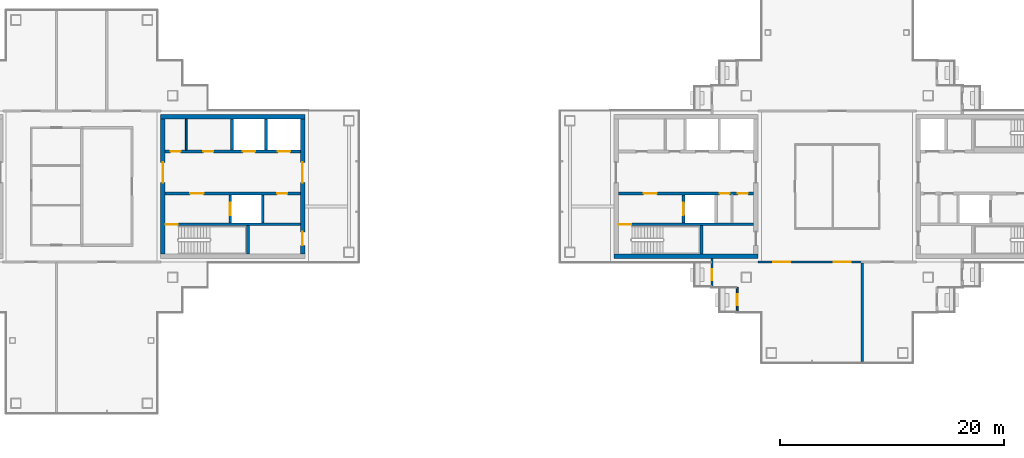
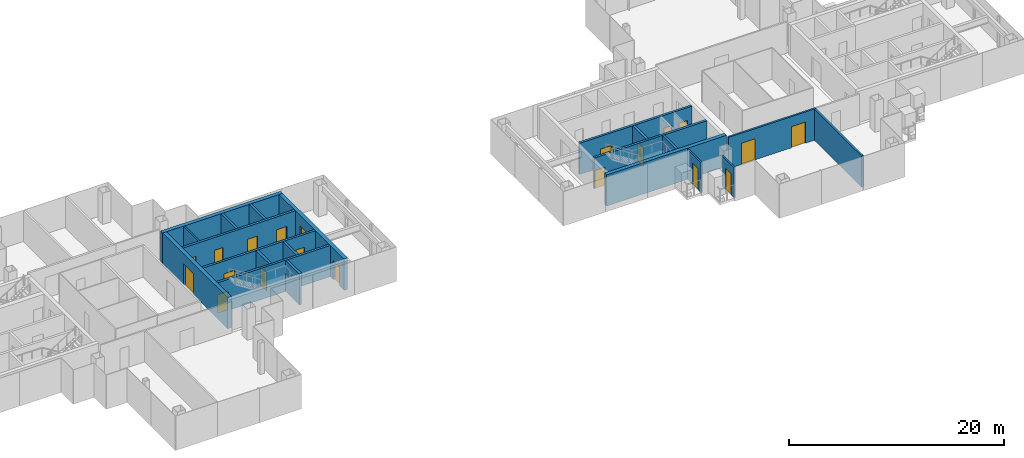
# One storey, part 10 of 16: 21 walls, 20 doors, 20 openings.
"""IFC4 building model written with IfcOpenShell, lengths in metres."""

from ifc_helpers import new_model, si_unit, direction, frame, frame_2d, origin, place, context, subcontext, project, spatial, rectangle, extrude, material, layer, layer_set, type_object, element, fill, save


model = new_model("IFC4")

# Units and contexts
model_context = context("Model", 3, precision=1e-05, world=origin(), true_north=direction((0.0, 1.0)))
body_context = subcontext(model_context, "Body", "Model", "MODEL_VIEW")
ifc_project = project(units=[si_unit("LENGTHUNIT", "METRE"), si_unit("AREAUNIT", "SQUARE_METRE"), si_unit("VOLUMEUNIT", "CUBIC_METRE"), si_unit("PLANEANGLEUNIT", "RADIAN"), si_unit("MASSUNIT", "GRAM", prefix="KILO")], contexts=[model_context])

# Site, building, storey
site_placement = place(None, origin())
site = spatial("IfcSite", under=ifc_project, at=site_placement, CompositionType="ELEMENT")
building_placement = place(site_placement, origin())
building = spatial("IfcBuilding", under=site, at=building_placement, Name="Shamsa Quay Exchange Towers", CompositionType="ELEMENT")
storey_placement = place(building_placement, frame((0.0, 0.0, 246.0)))
storey = spatial("IfcBuildingStorey", under=building, at=storey_placement, Name="L59", CompositionType="ELEMENT", Elevation=246.0)

# Wall, openings, doors
ifc_material_1 = material(Name="Double-leaf gypsum board partition with acoustic insulation")
ifc_layer_1 = layer(ifc_material_1, 0.199951171875)
ifc_layer_set_1 = layer_set([ifc_layer_1], Name="Acoustic partition 200 mm EI 60")
wall_type_1 = type_object("IfcWallType", Name="Acoustic partition 200 mm EI 60", PredefinedType="PARTITIONING", material=ifc_layer_set_1)
wall_1_placement = place(storey_placement, frame((26.699951171875, -6.75, 0.0)))
wall_1 = element("IfcWall", 1, at=wall_1_placement, inside=storey, type_object=wall_type_1, Name="Partition T2-R26-W07", PredefinedType="PARTITIONING", context=body_context, shape_type="SweptSolid", body=[
    extrude(rectangle(XDim=9.400146484375, YDim=0.199951171875, at=frame_2d((4.7001953125, 0.0))), origin(), (0.0, 0.0, 1.0), 3.550048828125),
])
opening_1_placement = place(wall_1_placement, frame((6.75, 0.0, 0.0)))
opening_1 = element("IfcOpeningElement", 2, at=opening_1_placement, cuts=wall_1, Name="Opening T2-R26-D03", PredefinedType="OPENING", context=body_context, shape_type="SweptSolid", body=[
    extrude(rectangle(XDim=1.5, YDim=2.39990234375, at=frame_2d((0.75, 1.199951171875))), frame((0.0, 0.10986328125, 0.0), z_axis=(0.0, -1.0, 0.0), x_axis=(1.0, 0.0, 0.0)), (0.0, 0.0, 1.0), 0.219970703125),
])
opening_2_placement = place(wall_1_placement, frame((1.35009765625, 0.0, 0.0)))
opening_2 = element("IfcOpeningElement", 3, at=opening_2_placement, cuts=wall_1, Name="Opening T2-R26-D05", PredefinedType="OPENING", context=body_context, shape_type="SweptSolid", body=[
    extrude(rectangle(XDim=1.5, YDim=2.39990234375, at=frame_2d((0.75, 1.199951171875))), frame((0.0, 0.10986328125, 0.0), z_axis=(0.0, -1.0, 0.0), x_axis=(1.0, 0.0, 0.0)), (0.0, 0.0, 1.0), 0.219970703125),
])
ifc_material_2 = material(Name="Timber door leaf in a metal frame", Category="wood")
door_type_1 = type_object("IfcDoorType", Name="Door 1500x2400 FD30S pair", OperationType="NOTDEFINED", PredefinedType="DOOR", material=ifc_material_2)
door_1_placement = place(opening_1_placement, origin())
door_1 = element("IfcDoor", 4, at=door_1_placement, inside=storey, type_object=door_type_1, Name="Door T2-R26-D03", OperationType="DOUBLE_DOOR_SINGLE_SWING", OverallHeight=2.39990234375, OverallWidth=1.5, PredefinedType="DOOR", context=body_context, shape_type="SweptSolid", body=[
    extrude(rectangle(XDim=1.5, YDim=2.39990234375, at=frame_2d((0.75, 1.199951171875))), frame((0.0, 0.02490234375, 0.0), z_axis=(0.0, -1.0, 0.0), x_axis=(1.0, 0.0, 0.0)), (0.0, 0.0, 1.0), 0.050048828125),
])
fill(opening_1, door_1)
door_2_placement = place(opening_2_placement, origin())
door_2 = element("IfcDoor", 5, at=door_2_placement, inside=storey, type_object=door_type_1, Name="Door T2-R26-D05", OperationType="DOUBLE_DOOR_SINGLE_SWING", OverallHeight=2.39990234375, OverallWidth=1.5, PredefinedType="DOOR", context=body_context, shape_type="SweptSolid", body=[
    extrude(rectangle(XDim=1.5, YDim=2.39990234375, at=frame_2d((0.75, 1.199951171875))), frame((0.0, 0.02490234375, 0.0), z_axis=(0.0, -1.0, 0.0), x_axis=(1.0, 0.0, 0.0)), (0.0, 0.0, 1.0), 0.050048828125),
])
fill(opening_2, door_2)

# Wall
wall_2_placement = place(storey_placement, frame((36.0, -6.85009765625, 0.0), z_axis=(0.0, 0.0, 1.0), x_axis=(0.0, -1.0, 0.0)))
element("IfcWall", 6, at=wall_2_placement, inside=storey, type_object=wall_type_1, Name="Partition T2-R26-W09", PredefinedType="PARTITIONING", context=body_context, shape_type="SweptSolid", body=[
    extrude(rectangle(XDim=8.804931640625, YDim=0.199951171875, at=frame_2d((4.40234375, 0.0))), origin(), (0.0, 0.0, 1.0), 3.550048828125),
])

# Wall, opening, door
ifc_material_3 = material(Name="Aluminium EN AW-6063 T6, black anodised, with black enamelled glass infill", Category="aluminium")
ifc_layer_2 = layer(ifc_material_3, 0.14990234375)
ifc_layer_set_2 = layer_set([ifc_layer_2], Name="BALCONY DOOR BAY WALL 150")
wall_type_2 = type_object("IfcWallType", Name="BALCONY DOOR BAY WALL 150", PredefinedType="SOLIDWALL", material=ifc_layer_set_2)
wall_3_placement = place(storey_placement, frame((22.574951171875, -9.0, 0.0), z_axis=(0.0, 0.0, 1.0), x_axis=(0.0, 1.0, 0.0)))
wall_3 = element("IfcWall", 7, at=wall_3_placement, inside=storey, type_object=wall_type_2, Name="Door bay T2-PKWN L59", PredefinedType="SOLIDWALL", context=body_context, shape_type="SweptSolid", body=[
    extrude(rectangle(XDim=2.556884765625, YDim=0.14990234375, at=frame_2d((1.2783203125, 0.0))), origin(), (0.0, 0.0, 1.0), 3.449951171875),
])
opening_3_placement = place(wall_3_placement, frame((0.625, 0.0, 0.0)))
opening_3 = element("IfcOpeningElement", 8, at=opening_3_placement, cuts=wall_3, Name="Opening XD397", PredefinedType="OPENING", context=body_context, shape_type="SweptSolid", body=[
    extrude(rectangle(XDim=1.0, YDim=2.39990234375, at=frame_2d((0.5, 1.199951171875))), frame((0.0, 0.0849609375, 0.0), z_axis=(0.0, -1.0, 0.0), x_axis=(1.0, 0.0, 0.0)), (0.0, 0.0, 1.0), 0.169921875),
])
ifc_material_4 = material(Name="Aluminium EN AW-6063 T6, black anodised, with laminated glass leaf", Category="aluminium")
door_type_2 = type_object("IfcDoorType", Name="BALCONY DOOR 1000x2400", OperationType="SINGLE_SWING_LEFT", PredefinedType="DOOR", material=ifc_material_4)
door_3_placement = place(opening_3_placement, origin())
door_3 = element("IfcDoor", 9, at=door_3_placement, inside=storey, type_object=door_type_2, Name="Balcony door T2-PKWN L59", OperationType="SINGLE_SWING_LEFT", OverallHeight=2.39990234375, OverallWidth=1.0, PredefinedType="DOOR", context=body_context, shape_type="SweptSolid", body=[
    extrude(rectangle(XDim=1.0, YDim=2.39990234375, at=frame_2d((0.5, 1.199951171875))), frame((0.0, 0.02490234375, 0.0), z_axis=(0.0, -1.0, 0.0), x_axis=(1.0, 0.0, 0.0)), (0.0, 0.0, 1.0), 0.050048828125),
])
fill(opening_3, door_3)

wall_4_placement = place(storey_placement, frame((24.824951171875, -11.25, 0.0), z_axis=(0.0, 0.0, 1.0), x_axis=(0.0, 1.0, 0.0)))
wall_4 = element("IfcWall", 10, at=wall_4_placement, inside=storey, type_object=wall_type_2, Name="Door bay T2-PKWN L59", PredefinedType="SOLIDWALL", context=body_context, shape_type="SweptSolid", body=[
    extrude(rectangle(XDim=2.25, YDim=0.14990234375, at=frame_2d((1.125, 0.0))), origin(), (0.0, 0.0, 1.0), 3.449951171875),
])
opening_4_placement = place(wall_4_placement, frame((0.625, 0.0, 0.0)))
opening_4 = element("IfcOpeningElement", 11, at=opening_4_placement, cuts=wall_4, Name="Opening XD398", PredefinedType="OPENING", context=body_context, shape_type="SweptSolid", body=[
    extrude(rectangle(XDim=1.0, YDim=2.39990234375, at=frame_2d((0.5, 1.199951171875))), frame((0.0, 0.0849609375, 0.0), z_axis=(0.0, -1.0, 0.0), x_axis=(1.0, 0.0, 0.0)), (0.0, 0.0, 1.0), 0.169921875),
])
door_4_placement = place(opening_4_placement, origin())
door_4 = element("IfcDoor", 12, at=door_4_placement, inside=storey, type_object=door_type_2, Name="Balcony door T2-PKWN L59", OperationType="SINGLE_SWING_RIGHT", OverallHeight=2.39990234375, OverallWidth=1.0, PredefinedType="DOOR", context=body_context, shape_type="SweptSolid", body=[
    extrude(rectangle(XDim=1.0, YDim=2.39990234375, at=frame_2d((0.5, 1.199951171875))), frame((0.0, 0.02490234375, 0.0), z_axis=(0.0, -1.0, 0.0), x_axis=(1.0, 0.0, 0.0)), (0.0, 0.0, 1.0), 0.050048828125),
])
fill(opening_4, door_4)

# Wall
ifc_material_5 = material(Name="Concrete C60/75", Category="concrete")
ifc_layer_3 = layer(ifc_material_5, 0.39990234375)
ifc_layer_set_3 = layer_set([ifc_layer_3], Name="CORE WALL 400 C60/75")
wall_type_3 = type_object("IfcWallType", Name="CORE WALL 400 C60/75", PredefinedType="SHEAR", material=ifc_layer_set_3)
wall_5_placement = place(storey_placement, frame((-26.699951171875, 6.25, 0.0)))
element("IfcWall", 13, at=wall_5_placement, inside=storey, type_object=wall_type_3, Name="Core wall T1A-R26-PN", PredefinedType="SHEAR", context=body_context, shape_type="SweptSolid", body=[
    extrude(rectangle(XDim=12.89990234375, YDim=0.39990234375, at=frame_2d((6.449951171875, 0.0))), origin(), (0.0, 0.0, 1.0), 3.550048828125),
])

# Wall, opening, door
wall_6_placement = place(storey_placement, frame((-26.5, 6.050048828125, 0.0), z_axis=(0.0, 0.0, 1.0), x_axis=(0.0, -1.0, 0.0)))
wall_6 = element("IfcWall", 14, at=wall_6_placement, inside=storey, type_object=wall_type_3, Name="Core wall T1A-R26-PF", PredefinedType="SHEAR", context=body_context, shape_type="SweptSolid", body=[
    extrude(rectangle(XDim=12.10009765625, YDim=0.39990234375, at=frame_2d((6.050048828125, 0.0))), origin(), (0.0, 0.0, 1.0), 3.550048828125),
])
opening_5_placement = place(wall_6_placement, frame((3.89990234375, 0.0, 0.0)))
opening_5 = element("IfcOpeningElement", 15, at=opening_5_placement, cuts=wall_6, Name="Opening T1A-R26-LBD01", PredefinedType="OPENING", context=body_context, shape_type="SweptSolid", body=[
    extrude(rectangle(XDim=1.800048828125, YDim=2.39990234375, at=frame_2d((0.89990234375, 1.199951171875))), frame((0.0, 0.2099609375, 0.0), z_axis=(0.0, -1.0, 0.0), x_axis=(1.0, 0.0, 0.0)), (0.0, 0.0, 1.0), 0.419921875),
])
ifc_material_6 = material(Name="Steel, fire rated", Category="steel")
door_type_3 = type_object("IfcDoorType", Name="LIFT LOBBY DOOR PAIR 1800", OperationType="DOUBLE_DOOR_SINGLE_SWING", PredefinedType="DOOR", material=ifc_material_6)
door_5_placement = place(opening_5_placement, origin())
door_5 = element("IfcDoor", 16, at=door_5_placement, inside=storey, type_object=door_type_3, Name="T1A-R26-LBD01", OperationType="DOUBLE_DOOR_SINGLE_SWING", OverallHeight=2.39990234375, OverallWidth=1.800048828125, PredefinedType="DOOR", context=body_context, shape_type="SweptSolid", body=[
    extrude(rectangle(XDim=1.800048828125, YDim=2.39990234375, at=frame_2d((0.89990234375, 1.199951171875))), frame((0.0, 0.02490234375, 0.0), z_axis=(0.0, -1.0, 0.0), x_axis=(1.0, 0.0, 0.0)), (0.0, 0.0, 1.0), 0.050048828125),
])
fill(opening_5, door_5)

# Wall, openings, doors
wall_7_placement = place(storey_placement, frame((-14.0, 6.050048828125, 0.0), z_axis=(0.0, 0.0, 1.0), x_axis=(0.0, -1.0, 0.0)))
wall_7 = element("IfcWall", 17, at=wall_7_placement, inside=storey, type_object=wall_type_3, Name="Core wall T1A-R26-PB", PredefinedType="SHEAR", context=body_context, shape_type="SweptSolid", body=[
    extrude(rectangle(XDim=12.10009765625, YDim=0.39990234375, at=frame_2d((6.050048828125, 0.0))), origin(), (0.0, 0.0, 1.0), 3.550048828125),
])
opening_6_placement = place(wall_7_placement, frame((10.10009765625, 0.0, 0.0)))
opening_6 = element("IfcOpeningElement", 18, at=opening_6_placement, cuts=wall_7, Name="Opening T1A-R26-RD02", PredefinedType="OPENING", context=body_context, shape_type="SweptSolid", body=[
    extrude(rectangle(XDim=1.199951171875, YDim=2.10009765625, at=frame_2d((0.60009765625, 1.050048828125))), frame((0.0, 0.2099609375, 0.0), z_axis=(0.0, -1.0, 0.0), x_axis=(1.0, 0.0, 0.0)), (0.0, 0.0, 1.0), 0.419921875),
])
opening_7_placement = place(wall_7_placement, frame((3.89990234375, 0.0, 0.0)))
opening_7 = element("IfcOpeningElement", 19, at=opening_7_placement, cuts=wall_7, Name="Opening T1A-R26-LBD03", PredefinedType="OPENING", context=body_context, shape_type="SweptSolid", body=[
    extrude(rectangle(XDim=1.800048828125, YDim=2.39990234375, at=frame_2d((0.89990234375, 1.199951171875))), frame((0.0, 0.2099609375, 0.0), z_axis=(0.0, -1.0, 0.0), x_axis=(1.0, 0.0, 0.0)), (0.0, 0.0, 1.0), 0.419921875),
])
door_6_placement = place(opening_7_placement, origin())
door_6 = element("IfcDoor", 20, at=door_6_placement, inside=storey, type_object=door_type_3, Name="T1A-R26-LBD03", OperationType="DOUBLE_DOOR_SINGLE_SWING", OverallHeight=2.39990234375, OverallWidth=1.800048828125, PredefinedType="DOOR", context=body_context, shape_type="SweptSolid", body=[
    extrude(rectangle(XDim=1.800048828125, YDim=2.39990234375, at=frame_2d((0.89990234375, 1.199951171875))), frame((0.0, 0.02490234375, 0.0), z_axis=(0.0, -1.0, 0.0), x_axis=(1.0, 0.0, 0.0)), (0.0, 0.0, 1.0), 0.050048828125),
])
fill(opening_7, door_6)
door_type_4 = type_object("IfcDoorType", Name="RISER ACCESS DOOR 1200", OperationType="SINGLE_SWING_LEFT", PredefinedType="DOOR", material=ifc_material_6)
door_7_placement = place(opening_6_placement, origin())
door_7 = element("IfcDoor", 21, at=door_7_placement, inside=storey, type_object=door_type_4, Name="T1A-R26-RD02", OperationType="SINGLE_SWING_RIGHT", OverallHeight=2.10009765625, OverallWidth=1.199951171875, PredefinedType="DOOR", context=body_context, shape_type="SweptSolid", body=[
    extrude(rectangle(XDim=1.199951171875, YDim=2.10009765625, at=frame_2d((0.60009765625, 1.050048828125))), frame((0.0, 0.02490234375, 0.0), z_axis=(0.0, -1.0, 0.0), x_axis=(1.0, 0.0, 0.0)), (0.0, 0.0, 1.0), 0.050048828125),
])
fill(opening_6, door_7)

# Walls
wall_8_placement = place(storey_placement, frame((13.800048828125, -6.25, 0.0)))
element("IfcWall", 22, at=wall_8_placement, inside=storey, type_object=wall_type_3, Name="Core wall T2A-R26-PS", PredefinedType="SHEAR", context=body_context, shape_type="SweptSolid", body=[
    extrude(rectangle(XDim=12.89990234375, YDim=0.39990234375, at=frame_2d((6.449951171875, 0.0))), origin(), (0.0, 0.0, 1.0), 3.550048828125),
])
ifc_material_7 = material(Name="Gypsum board on steel studs, EI 60", Category="steel")
ifc_layer_4 = layer(ifc_material_7, 0.14990234375)
ifc_layer_set_4 = layer_set([ifc_layer_4], Name="FIRE PARTITION 150")
wall_type_4 = type_object("IfcWallType", Name="FIRE PARTITION 150", PredefinedType="PARTITIONING", material=ifc_layer_set_4)
wall_9_placement = place(storey_placement, frame((-24.39990234375, 3.25, 0.0), z_axis=(0.0, 0.0, 1.0), x_axis=(0.0, 1.0, 0.0)))
element("IfcWall", 23, at=wall_9_placement, inside=storey, type_object=wall_type_4, Name="Partition T1A-R26-FC0", PredefinedType="PARTITIONING", context=body_context, shape_type="SweptSolid", body=[
    extrude(rectangle(XDim=2.800048828125, YDim=0.14990234375, at=frame_2d((1.39990234375, 0.0))), origin(), (0.0, 0.0, 1.0), 3.550048828125),
])

# Wall, opening, door
ifc_material_8 = material(Name="Concrete C50/60", Category="concrete")
ifc_layer_5 = layer(ifc_material_8, 0.25)
ifc_layer_set_5 = layer_set([ifc_layer_5], Name="SHAFT WALL 250 C50/60")
wall_type_5 = type_object("IfcWallType", Name="SHAFT WALL 250 C50/60", PredefinedType="SHEAR", material=ifc_layer_set_5)
wall_10_placement = place(storey_placement, frame((-14.199951171875, -3.375, 0.0), z_axis=(0.0, 0.0, 1.0), x_axis=(-1.0, 0.0, 0.0)))
wall_10 = element("IfcWall", 24, at=wall_10_placement, inside=storey, type_object=wall_type_5, Name="Shaft wall T1A-R26-STL", PredefinedType="SHEAR", context=body_context, shape_type="SweptSolid", body=[
    extrude(rectangle(XDim=12.10009765625, YDim=0.25, at=frame_2d((6.050048828125, 0.0))), origin(), (0.0, 0.0, 1.0), 3.550048828125),
])
opening_8_placement = place(wall_10_placement, frame((10.949951171875, 0.0, 0.0)))
opening_8 = element("IfcOpeningElement", 25, at=opening_8_placement, cuts=wall_10, Name="Opening T1A-R26-SD04", PredefinedType="OPENING", context=body_context, shape_type="SweptSolid", body=[
    extrude(rectangle(XDim=1.10009765625, YDim=2.10009765625, at=frame_2d((0.550048828125, 1.050048828125))), frame((0.0, 0.135009765625, 0.0), z_axis=(0.0, -1.0, 0.0), x_axis=(1.0, 0.0, 0.0)), (0.0, 0.0, 1.0), 0.27001953125),
])
door_type_5 = type_object("IfcDoorType", Name="STAIR DOOR 1100", OperationType="SINGLE_SWING_LEFT", PredefinedType="DOOR", material=ifc_material_6)
door_8_placement = place(opening_8_placement, origin())
door_8 = element("IfcDoor", 26, at=door_8_placement, inside=storey, type_object=door_type_5, Name="T1A-R26-SD04", OperationType="SINGLE_SWING_RIGHT", OverallHeight=2.10009765625, OverallWidth=1.10009765625, PredefinedType="DOOR", context=body_context, shape_type="SweptSolid", body=[
    extrude(rectangle(XDim=1.10009765625, YDim=2.10009765625, at=frame_2d((0.550048828125, 1.050048828125))), frame((0.0, 0.02490234375, 0.0), z_axis=(0.0, -1.0, 0.0), x_axis=(1.0, 0.0, 0.0)), (0.0, 0.0, 1.0), 0.050048828125),
])
fill(opening_8, door_8)

# Wall
wall_11_placement = place(storey_placement, frame((-18.875, -6.050048828125, 0.0), z_axis=(0.0, 0.0, 1.0), x_axis=(0.0, 1.0, 0.0)))
element("IfcWall", 27, at=wall_11_placement, inside=storey, type_object=wall_type_5, Name="Shaft wall T1A-R26-STF", PredefinedType="SHEAR", context=body_context, shape_type="SweptSolid", body=[
    extrude(rectangle(XDim=2.550048828125, YDim=0.25, at=frame_2d((1.27490234375, 0.0))), origin(), (0.0, 0.0, 1.0), 3.550048828125),
])

# Wall, openings, doors
wall_12_placement = place(storey_placement, frame((-14.199951171875, -0.625, 0.0), z_axis=(0.0, 0.0, 1.0), x_axis=(-1.0, 0.0, 0.0)))
wall_12 = element("IfcWall", 28, at=wall_12_placement, inside=storey, type_object=wall_type_5, Name="Shaft wall T1A-R26-B", PredefinedType="SHEAR", context=body_context, shape_type="SweptSolid", body=[
    extrude(rectangle(XDim=12.10009765625, YDim=0.25, at=frame_2d((6.050048828125, 0.0))), origin(), (0.0, 0.0, 1.0), 3.550048828125),
])
opening_9_placement = place(wall_12_placement, frame((8.64990234375, 0.0, 0.0)))
opening_9 = element("IfcOpeningElement", 29, at=opening_9_placement, cuts=wall_12, Name="Opening T1A-R26-FD05", PredefinedType="OPENING", context=body_context, shape_type="SweptSolid", body=[
    extrude(rectangle(XDim=1.199951171875, YDim=2.10009765625, at=frame_2d((0.60009765625, 1.050048828125))), frame((0.0, 0.135009765625, 0.0), z_axis=(0.0, -1.0, 0.0), x_axis=(1.0, 0.0, 0.0)), (0.0, 0.0, 1.0), 0.27001953125),
])
opening_10_placement = place(wall_12_placement, frame((1.175048828125, 0.0, 0.0)))
opening_10 = element("IfcOpeningElement", 30, at=opening_10_placement, cuts=wall_12, Name="Opening T1A-R26-SV06", PredefinedType="OPENING", context=body_context, shape_type="SweptSolid", body=[
    extrude(rectangle(XDim=0.89990234375, YDim=2.10009765625, at=frame_2d((0.449951171875, 1.050048828125))), frame((0.0, 0.135009765625, 0.0), z_axis=(0.0, -1.0, 0.0), x_axis=(1.0, 0.0, 0.0)), (0.0, 0.0, 1.0), 0.27001953125),
])
door_type_6 = type_object("IfcDoorType", Name="FIRE SERVICE LOBBY DOOR 1200", OperationType="SINGLE_SWING_LEFT", PredefinedType="DOOR", material=ifc_material_6)
door_9_placement = place(opening_9_placement, origin())
door_9 = element("IfcDoor", 31, at=door_9_placement, inside=storey, type_object=door_type_6, Name="T1A-R26-FD05", OperationType="SINGLE_SWING_RIGHT", OverallHeight=2.10009765625, OverallWidth=1.199951171875, PredefinedType="DOOR", context=body_context, shape_type="SweptSolid", body=[
    extrude(rectangle(XDim=1.199951171875, YDim=2.10009765625, at=frame_2d((0.60009765625, 1.050048828125))), frame((0.0, 0.02490234375, 0.0), z_axis=(0.0, -1.0, 0.0), x_axis=(1.0, 0.0, 0.0)), (0.0, 0.0, 1.0), 0.050048828125),
])
fill(opening_9, door_9)
door_type_7 = type_object("IfcDoorType", Name="SERVICE ROOM DOOR 900", OperationType="SINGLE_SWING_LEFT", PredefinedType="DOOR", material=ifc_material_6)
door_10_placement = place(opening_10_placement, origin())
door_10 = element("IfcDoor", 32, at=door_10_placement, inside=storey, type_object=door_type_7, Name="T1A-R26-SV06", OperationType="SINGLE_SWING_LEFT", OverallHeight=2.10009765625, OverallWidth=0.89990234375, PredefinedType="DOOR", context=body_context, shape_type="SweptSolid", body=[
    extrude(rectangle(XDim=0.89990234375, YDim=2.10009765625, at=frame_2d((0.449951171875, 1.050048828125))), frame((0.0, 0.02490234375, 0.0), z_axis=(0.0, -1.0, 0.0), x_axis=(1.0, 0.0, 0.0)), (0.0, 0.0, 1.0), 0.050048828125),
])
fill(opening_10, door_10)

# Wall, opening, door
wall_13_placement = place(storey_placement, frame((-20.47509765625, -3.25, 0.0), z_axis=(0.0, 0.0, 1.0), x_axis=(0.0, 1.0, 0.0)))
wall_13 = element("IfcWall", 33, at=wall_13_placement, inside=storey, type_object=wall_type_5, Name="Shaft wall T1A-R26-FFF", PredefinedType="SHEAR", context=body_context, shape_type="SweptSolid", body=[
    extrude(rectangle(XDim=2.5, YDim=0.25, at=frame_2d((1.25, 0.0))), origin(), (0.0, 0.0, 1.0), 3.550048828125),
])
opening_11_placement = place(wall_13_placement, frame((0.699951171875, 0.0, 0.0)))
opening_11 = element("IfcOpeningElement", 34, at=opening_11_placement, cuts=wall_13, Name="Opening T1A-R26-LDF07", PredefinedType="OPENING", context=body_context, shape_type="SweptSolid", body=[
    extrude(rectangle(XDim=1.10009765625, YDim=2.10009765625, at=frame_2d((0.550048828125, 1.050048828125))), frame((0.0, 0.135009765625, 0.0), z_axis=(0.0, -1.0, 0.0), x_axis=(1.0, 0.0, 0.0)), (0.0, 0.0, 1.0), 0.27001953125),
])
door_type_8 = type_object("IfcDoorType", Name="FIRE SERVICE LANDING DOOR 1100", OperationType="SLIDING_TO_LEFT", PredefinedType="DOOR", material=ifc_material_6)
door_11_placement = place(opening_11_placement, origin())
door_11 = element("IfcDoor", 35, at=door_11_placement, inside=storey, type_object=door_type_8, Name="T1A-R26-LDF07", OperationType="SLIDING_TO_LEFT", OverallHeight=2.10009765625, OverallWidth=1.10009765625, PredefinedType="DOOR", context=body_context, shape_type="SweptSolid", body=[
    extrude(rectangle(XDim=1.10009765625, YDim=2.10009765625, at=frame_2d((0.550048828125, 1.050048828125))), frame((0.0, 0.02490234375, 0.0), z_axis=(0.0, -1.0, 0.0), x_axis=(1.0, 0.0, 0.0)), (0.0, 0.0, 1.0), 0.050048828125),
])
fill(opening_11, door_11)

# Wall
wall_14_placement = place(storey_placement, frame((-17.574951171875, -3.25, 0.0), z_axis=(0.0, 0.0, 1.0), x_axis=(0.0, 1.0, 0.0)))
element("IfcWall", 36, at=wall_14_placement, inside=storey, type_object=wall_type_5, Name="Shaft wall T1A-R26-FFB", PredefinedType="SHEAR", context=body_context, shape_type="SweptSolid", body=[
    extrude(rectangle(XDim=2.5, YDim=0.25, at=frame_2d((1.25, 0.0))), origin(), (0.0, 0.0, 1.0), 3.550048828125),
])

# Wall, openings, doors
wall_15_placement = place(storey_placement, frame((-26.300048828125, 3.125, 0.0)))
wall_15 = element("IfcWall", 37, at=wall_15_placement, inside=storey, type_object=wall_type_5, Name="Shaft wall T1A-R26-N", PredefinedType="SHEAR", context=body_context, shape_type="SweptSolid", body=[
    extrude(rectangle(XDim=12.10009765625, YDim=0.25, at=frame_2d((6.050048828125, 0.0))), origin(), (0.0, 0.0, 1.0), 3.550048828125),
])
opening_12_placement = place(wall_15_placement, frame((6.949951171875, 0.0, 0.0)))
opening_12 = element("IfcOpeningElement", 38, at=opening_12_placement, cuts=wall_15, Name="Opening T1A-R26-LD08", PredefinedType="OPENING", context=body_context, shape_type="SweptSolid", body=[
    extrude(rectangle(XDim=1.10009765625, YDim=2.10009765625, at=frame_2d((0.550048828125, 1.050048828125))), frame((0.0, 0.135009765625, 0.0), z_axis=(0.0, -1.0, 0.0), x_axis=(1.0, 0.0, 0.0)), (0.0, 0.0, 1.0), 0.27001953125),
])
opening_13_placement = place(wall_15_placement, frame((10.074951171875, 0.0, 0.0)))
opening_13 = element("IfcOpeningElement", 39, at=opening_13_placement, cuts=wall_15, Name="Opening T1A-R26-LD09", PredefinedType="OPENING", context=body_context, shape_type="SweptSolid", body=[
    extrude(rectangle(XDim=1.10009765625, YDim=2.10009765625, at=frame_2d((0.550048828125, 1.050048828125))), frame((0.0, 0.135009765625, 0.0), z_axis=(0.0, -1.0, 0.0), x_axis=(1.0, 0.0, 0.0)), (0.0, 0.0, 1.0), 0.27001953125),
])
opening_14_placement = place(wall_15_placement, frame((0.5, 0.0, 0.0)))
opening_14 = element("IfcOpeningElement", 40, at=opening_14_placement, cuts=wall_15, Name="Opening T1A-R26-SV10", PredefinedType="OPENING", context=body_context, shape_type="SweptSolid", body=[
    extrude(rectangle(XDim=0.89990234375, YDim=2.10009765625, at=frame_2d((0.449951171875, 1.050048828125))), frame((0.0, 0.135009765625, 0.0), z_axis=(0.0, -1.0, 0.0), x_axis=(1.0, 0.0, 0.0)), (0.0, 0.0, 1.0), 0.27001953125),
])
opening_15_placement = place(wall_15_placement, frame((3.425048828125, 0.0, 0.0)))
opening_15 = element("IfcOpeningElement", 41, at=opening_15_placement, cuts=wall_15, Name="Opening T1A-R26-SV11", PredefinedType="OPENING", context=body_context, shape_type="SweptSolid", body=[
    extrude(rectangle(XDim=0.89990234375, YDim=2.10009765625, at=frame_2d((0.449951171875, 1.050048828125))), frame((0.0, 0.135009765625, 0.0), z_axis=(0.0, -1.0, 0.0), x_axis=(1.0, 0.0, 0.0)), (0.0, 0.0, 1.0), 0.27001953125),
])
door_type_9 = type_object("IfcDoorType", Name="LANDING DOOR 1100", OperationType="SLIDING_TO_LEFT", PredefinedType="DOOR", material=ifc_material_6)
door_12_placement = place(opening_12_placement, origin())
door_12 = element("IfcDoor", 42, at=door_12_placement, inside=storey, type_object=door_type_9, Name="T1A-R26-LD08", OperationType="SLIDING_TO_LEFT", OverallHeight=2.10009765625, OverallWidth=1.10009765625, PredefinedType="DOOR", context=body_context, shape_type="SweptSolid", body=[
    extrude(rectangle(XDim=1.10009765625, YDim=2.10009765625, at=frame_2d((0.550048828125, 1.050048828125))), frame((0.0, 0.02490234375, 0.0), z_axis=(0.0, -1.0, 0.0), x_axis=(1.0, 0.0, 0.0)), (0.0, 0.0, 1.0), 0.050048828125),
])
fill(opening_12, door_12)
door_13_placement = place(opening_13_placement, origin())
door_13 = element("IfcDoor", 43, at=door_13_placement, inside=storey, type_object=door_type_9, Name="T1A-R26-LD09", OperationType="SLIDING_TO_LEFT", OverallHeight=2.10009765625, OverallWidth=1.10009765625, PredefinedType="DOOR", context=body_context, shape_type="SweptSolid", body=[
    extrude(rectangle(XDim=1.10009765625, YDim=2.10009765625, at=frame_2d((0.550048828125, 1.050048828125))), frame((0.0, 0.02490234375, 0.0), z_axis=(0.0, -1.0, 0.0), x_axis=(1.0, 0.0, 0.0)), (0.0, 0.0, 1.0), 0.050048828125),
])
fill(opening_13, door_13)
door_14_placement = place(opening_14_placement, origin())
door_14 = element("IfcDoor", 44, at=door_14_placement, inside=storey, type_object=door_type_7, Name="T1A-R26-SV10", OperationType="SINGLE_SWING_LEFT", OverallHeight=2.10009765625, OverallWidth=0.89990234375, PredefinedType="DOOR", context=body_context, shape_type="SweptSolid", body=[
    extrude(rectangle(XDim=0.89990234375, YDim=2.10009765625, at=frame_2d((0.449951171875, 1.050048828125))), frame((0.0, 0.02490234375, 0.0), z_axis=(0.0, -1.0, 0.0), x_axis=(1.0, 0.0, 0.0)), (0.0, 0.0, 1.0), 0.050048828125),
])
fill(opening_14, door_14)
door_15_placement = place(opening_15_placement, origin())
door_15 = element("IfcDoor", 45, at=door_15_placement, inside=storey, type_object=door_type_7, Name="T1A-R26-SV11", OperationType="SINGLE_SWING_LEFT", OverallHeight=2.10009765625, OverallWidth=0.89990234375, PredefinedType="DOOR", context=body_context, shape_type="SweptSolid", body=[
    extrude(rectangle(XDim=0.89990234375, YDim=2.10009765625, at=frame_2d((0.449951171875, 1.050048828125))), frame((0.0, 0.02490234375, 0.0), z_axis=(0.0, -1.0, 0.0), x_axis=(1.0, 0.0, 0.0)), (0.0, 0.0, 1.0), 0.050048828125),
])
fill(opening_15, door_15)

# Walls
for number, where, z_axis, x_axis, name in (
    (46, (-20.324951171875, 3.25, 0.0), (0.0, 0.0, 1.0), (0.0, 1.0, 0.0), "Shaft wall T1A-R26-D1"),
    (47, (-17.27490234375, 3.25, 0.0), (0.0, 0.0, 1.0), (0.0, 1.0, 0.0), "Shaft wall T1A-R26-D2"),
):
    element("IfcWall", number, at=place(storey_placement, frame(where, z_axis=z_axis, x_axis=x_axis)), inside=storey, type_object=wall_type_5, Name=name, PredefinedType="SHEAR", context=body_context, shape_type="SweptSolid", body=[
        extrude(rectangle(XDim=2.800048828125, YDim=0.25, at=frame_2d((1.39990234375, 0.0))), origin(), (0.0, 0.0, 1.0), 3.550048828125),
    ])

# Wall, opening, door
wall_16_placement = place(storey_placement, frame((26.300048828125, -3.375, 0.0), z_axis=(0.0, 0.0, 1.0), x_axis=(-1.0, 0.0, 0.0)))
wall_16 = element("IfcWall", 48, at=wall_16_placement, inside=storey, type_object=wall_type_5, Name="Shaft wall T2A-R26-STL", PredefinedType="SHEAR", context=body_context, shape_type="SweptSolid", body=[
    extrude(rectangle(XDim=12.10009765625, YDim=0.25, at=frame_2d((6.050048828125, 0.0))), origin(), (0.0, 0.0, 1.0), 3.550048828125),
])
opening_16_placement = place(wall_16_placement, frame((10.949951171875, 0.0, 0.0)))
opening_16 = element("IfcOpeningElement", 49, at=opening_16_placement, cuts=wall_16, Name="Opening T2A-R26-SD04", PredefinedType="OPENING", context=body_context, shape_type="SweptSolid", body=[
    extrude(rectangle(XDim=1.10009765625, YDim=2.10009765625, at=frame_2d((0.550048828125, 1.050048828125))), frame((0.0, 0.135009765625, 0.0), z_axis=(0.0, -1.0, 0.0), x_axis=(1.0, 0.0, 0.0)), (0.0, 0.0, 1.0), 0.27001953125),
])
door_16_placement = place(opening_16_placement, origin())
door_16 = element("IfcDoor", 50, at=door_16_placement, inside=storey, type_object=door_type_5, Name="T2A-R26-SD04", OperationType="SINGLE_SWING_RIGHT", OverallHeight=2.10009765625, OverallWidth=1.10009765625, PredefinedType="DOOR", context=body_context, shape_type="SweptSolid", body=[
    extrude(rectangle(XDim=1.10009765625, YDim=2.10009765625, at=frame_2d((0.550048828125, 1.050048828125))), frame((0.0, 0.02490234375, 0.0), z_axis=(0.0, -1.0, 0.0), x_axis=(1.0, 0.0, 0.0)), (0.0, 0.0, 1.0), 0.050048828125),
])
fill(opening_16, door_16)

# Wall
wall_17_placement = place(storey_placement, frame((21.625, -6.050048828125, 0.0), z_axis=(0.0, 0.0, 1.0), x_axis=(0.0, 1.0, 0.0)))
element("IfcWall", 51, at=wall_17_placement, inside=storey, type_object=wall_type_5, Name="Shaft wall T2A-R26-STF", PredefinedType="SHEAR", context=body_context, shape_type="SweptSolid", body=[
    extrude(rectangle(XDim=2.550048828125, YDim=0.25, at=frame_2d((1.27490234375, 0.0))), origin(), (0.0, 0.0, 1.0), 3.550048828125),
])

# Wall, openings, doors
wall_18_placement = place(storey_placement, frame((26.300048828125, -0.625, 0.0), z_axis=(0.0, 0.0, 1.0), x_axis=(-1.0, 0.0, 0.0)))
wall_18 = element("IfcWall", 52, at=wall_18_placement, inside=storey, type_object=wall_type_5, Name="Shaft wall T2A-R26-B", PredefinedType="SHEAR", context=body_context, shape_type="SweptSolid", body=[
    extrude(rectangle(XDim=12.10009765625, YDim=0.25, at=frame_2d((6.050048828125, 0.0))), origin(), (0.0, 0.0, 1.0), 3.550048828125),
])
opening_17_placement = place(wall_18_placement, frame((8.64990234375, 0.0, 0.0)))
opening_17 = element("IfcOpeningElement", 53, at=opening_17_placement, cuts=wall_18, Name="Opening T2A-R26-FD05", PredefinedType="OPENING", context=body_context, shape_type="SweptSolid", body=[
    extrude(rectangle(XDim=1.199951171875, YDim=2.10009765625, at=frame_2d((0.60009765625, 1.050048828125))), frame((0.0, 0.135009765625, 0.0), z_axis=(0.0, -1.0, 0.0), x_axis=(1.0, 0.0, 0.0)), (0.0, 0.0, 1.0), 0.27001953125),
])
opening_18_placement = place(wall_18_placement, frame((2.14990234375, 0.0, 0.0)))
opening_18 = element("IfcOpeningElement", 54, at=opening_18_placement, cuts=wall_18, Name="Opening T2A-R26-SV06", PredefinedType="OPENING", context=body_context, shape_type="SweptSolid", body=[
    extrude(rectangle(XDim=0.89990234375, YDim=2.10009765625, at=frame_2d((0.449951171875, 1.050048828125))), frame((0.0, 0.135009765625, 0.0), z_axis=(0.0, -1.0, 0.0), x_axis=(1.0, 0.0, 0.0)), (0.0, 0.0, 1.0), 0.27001953125),
])
opening_19_placement = place(wall_18_placement, frame((0.52490234375, 0.0, 0.0)))
opening_19 = element("IfcOpeningElement", 55, at=opening_19_placement, cuts=wall_18, Name="Opening T2A-R26-SV07", PredefinedType="OPENING", context=body_context, shape_type="SweptSolid", body=[
    extrude(rectangle(XDim=0.89990234375, YDim=2.10009765625, at=frame_2d((0.449951171875, 1.050048828125))), frame((0.0, 0.135009765625, 0.0), z_axis=(0.0, -1.0, 0.0), x_axis=(1.0, 0.0, 0.0)), (0.0, 0.0, 1.0), 0.27001953125),
])
door_17_placement = place(opening_17_placement, origin())
door_17 = element("IfcDoor", 56, at=door_17_placement, inside=storey, type_object=door_type_6, Name="T2A-R26-FD05", OperationType="SINGLE_SWING_RIGHT", OverallHeight=2.10009765625, OverallWidth=1.199951171875, PredefinedType="DOOR", context=body_context, shape_type="SweptSolid", body=[
    extrude(rectangle(XDim=1.199951171875, YDim=2.10009765625, at=frame_2d((0.60009765625, 1.050048828125))), frame((0.0, 0.02490234375, 0.0), z_axis=(0.0, -1.0, 0.0), x_axis=(1.0, 0.0, 0.0)), (0.0, 0.0, 1.0), 0.050048828125),
])
fill(opening_17, door_17)
door_18_placement = place(opening_18_placement, origin())
door_18 = element("IfcDoor", 57, at=door_18_placement, inside=storey, type_object=door_type_7, Name="T2A-R26-SV06", OperationType="SINGLE_SWING_LEFT", OverallHeight=2.10009765625, OverallWidth=0.89990234375, PredefinedType="DOOR", context=body_context, shape_type="SweptSolid", body=[
    extrude(rectangle(XDim=0.89990234375, YDim=2.10009765625, at=frame_2d((0.449951171875, 1.050048828125))), frame((0.0, 0.02490234375, 0.0), z_axis=(0.0, -1.0, 0.0), x_axis=(1.0, 0.0, 0.0)), (0.0, 0.0, 1.0), 0.050048828125),
])
fill(opening_18, door_18)
door_19_placement = place(opening_19_placement, origin())
door_19 = element("IfcDoor", 58, at=door_19_placement, inside=storey, type_object=door_type_7, Name="T2A-R26-SV07", OperationType="SINGLE_SWING_LEFT", OverallHeight=2.10009765625, OverallWidth=0.89990234375, PredefinedType="DOOR", context=body_context, shape_type="SweptSolid", body=[
    extrude(rectangle(XDim=0.89990234375, YDim=2.10009765625, at=frame_2d((0.449951171875, 1.050048828125))), frame((0.0, 0.02490234375, 0.0), z_axis=(0.0, -1.0, 0.0), x_axis=(1.0, 0.0, 0.0)), (0.0, 0.0, 1.0), 0.050048828125),
])
fill(opening_19, door_19)

# Wall, opening, door
wall_19_placement = place(storey_placement, frame((20.02490234375, -3.25, 0.0), z_axis=(0.0, 0.0, 1.0), x_axis=(0.0, 1.0, 0.0)))
wall_19 = element("IfcWall", 59, at=wall_19_placement, inside=storey, type_object=wall_type_5, Name="Shaft wall T2A-R26-FFF", PredefinedType="SHEAR", context=body_context, shape_type="SweptSolid", body=[
    extrude(rectangle(XDim=2.5, YDim=0.25, at=frame_2d((1.25, 0.0))), origin(), (0.0, 0.0, 1.0), 3.550048828125),
])
opening_20_placement = place(wall_19_placement, frame((0.699951171875, 0.0, 0.0)))
opening_20 = element("IfcOpeningElement", 60, at=opening_20_placement, cuts=wall_19, Name="Opening T2A-R26-LDF08", PredefinedType="OPENING", context=body_context, shape_type="SweptSolid", body=[
    extrude(rectangle(XDim=1.10009765625, YDim=2.10009765625, at=frame_2d((0.550048828125, 1.050048828125))), frame((0.0, 0.135009765625, 0.0), z_axis=(0.0, -1.0, 0.0), x_axis=(1.0, 0.0, 0.0)), (0.0, 0.0, 1.0), 0.27001953125),
])
door_20_placement = place(opening_20_placement, origin())
door_20 = element("IfcDoor", 61, at=door_20_placement, inside=storey, type_object=door_type_8, Name="T2A-R26-LDF08", OperationType="SLIDING_TO_LEFT", OverallHeight=2.10009765625, OverallWidth=1.10009765625, PredefinedType="DOOR", context=body_context, shape_type="SweptSolid", body=[
    extrude(rectangle(XDim=1.10009765625, YDim=2.10009765625, at=frame_2d((0.550048828125, 1.050048828125))), frame((0.0, 0.02490234375, 0.0), z_axis=(0.0, -1.0, 0.0), x_axis=(1.0, 0.0, 0.0)), (0.0, 0.0, 1.0), 0.050048828125),
])
fill(opening_20, door_20)

save(model, "model.ifc")
